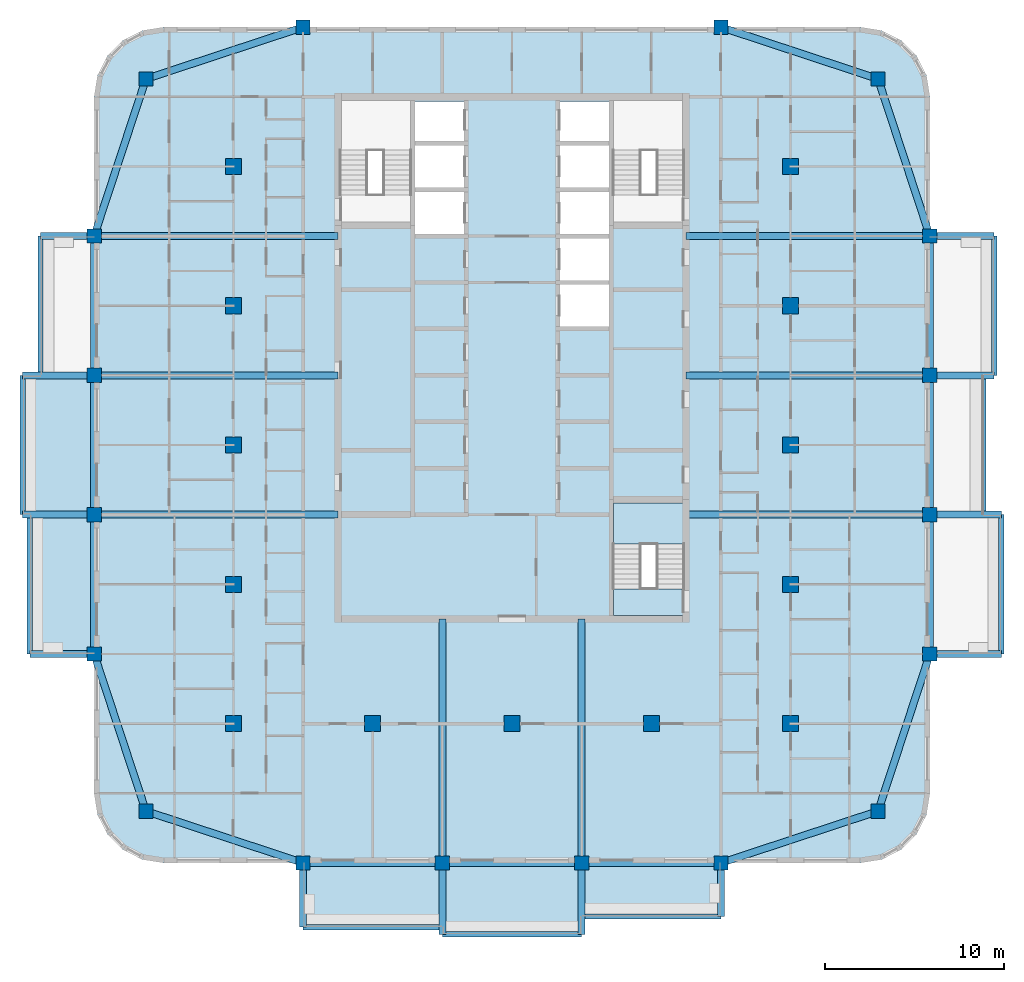
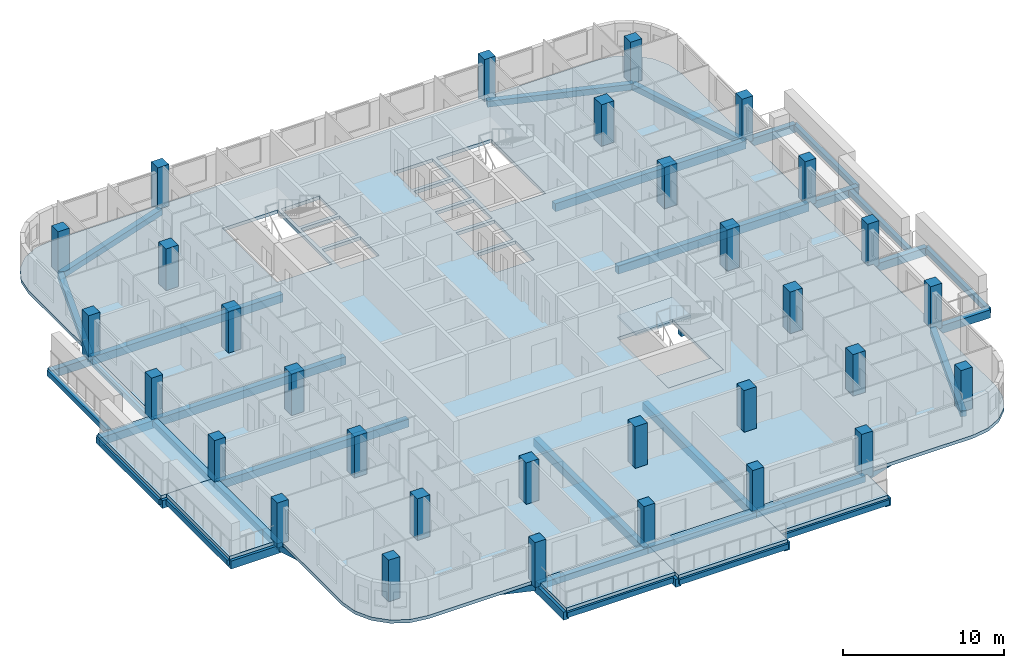
# One storey, part 1 of 16: 46 beams, 31 columns, 8 slabs, 1 element without a shape of its own.
"""IFC4 building model written with IfcOpenShell, lengths in metres."""

from ifc_helpers import new_model, si_unit, direction, frame, origin, origin_2d, place, context, subcontext, project, spatial, polyline, rectangle, outline, extrude, material, layer, layer_set, material_profile, profile_set, type_object, element, aggregate, save


model = new_model("IFC4")

# Units and contexts
model_context = context("Model", 3, precision=1e-05, world=origin(), true_north=direction((0.0, 1.0)))
body_context = subcontext(model_context, "Body", "Model", "MODEL_VIEW")
ifc_project = project(units=[si_unit("LENGTHUNIT", "METRE"), si_unit("AREAUNIT", "SQUARE_METRE"), si_unit("VOLUMEUNIT", "CUBIC_METRE"), si_unit("PLANEANGLEUNIT", "RADIAN"), si_unit("MASSUNIT", "GRAM", prefix="KILO")], contexts=[model_context])

# Site, building, storey
site_placement = place(None, origin())
site = spatial("IfcSite", under=ifc_project, at=site_placement, CompositionType="ELEMENT")
building_placement = place(site_placement, origin())
building = spatial("IfcBuilding", under=site, at=building_placement, Name="Ludao Terraces", CompositionType="ELEMENT")
storey_placement = place(building_placement, frame((0.0, 0.0, 204.10009765625)))
storey = spatial("IfcBuildingStorey", under=building, at=storey_placement, Name="L55", CompositionType="ELEMENT", Elevation=204.10009765625)

# Columns
ifc_material_1 = material(Name="Concrete C50", Category="concrete")
ifc_material_profile_1 = material_profile(ifc_material_1, rectangle(XDim=0.800048828125, YDim=0.800048828125, at=origin_2d()), Name="800 X 800")
ifc_profile_set_1 = profile_set([ifc_material_profile_1], Name="Concrete C50")
column_type_1 = type_object("IfcColumnType", Name="RC column 800x800 C50", PredefinedType="COLUMN", material=ifc_profile_set_1)
for number, where, z_axis, x_axis, name in (
    (1, (64.5, 44.5, -0.25), (0.0, 0.0, 1.0), (1.0, 0.0, 0.0), "Column L55 C0029x0029"),
    (2, (105.5, 44.5, -0.25), (0.0, 0.0, 1.0), (1.0, 0.0, 0.0), "Column L55 C0439x0029"),
    (3, (64.5, 85.5, -0.25), (0.0, 0.0, 1.0), (1.0, 0.0, 0.0), "Column L55 C0029x0439"),
    (4, (105.5, 85.5, -0.25), (0.0, 0.0, 1.0), (1.0, 0.0, 0.0), "Column L55 C0439x0439"),
    (5, (61.60009765625, 53.300048828125, -0.25), (0.0, 0.0, 1.0), (1.0, 0.0, 0.0), "Column L55 F0000x0117"),
    (6, (108.39990234375, 53.300048828125, -0.25), (0.0, 0.0, 1.0), (1.0, 0.0, 0.0), "Column L55 F0468x0117"),
    (7, (73.300048828125, 41.60009765625, -0.25), (0.0, 0.0, 1.0), (1.0, 0.0, 0.0), "Column L55 F0117x0000"),
    (8, (73.300048828125, 88.39990234375, -0.25), (0.0, 0.0, 1.0), (1.0, 0.0, 0.0), "Column L55 F0117x0468"),
    (9, (61.60009765625, 61.10009765625, -0.25), (0.0, 0.0, 1.0), (1.0, 0.0, 0.0), "Column L55 F0000x0195"),
    (10, (108.39990234375, 61.10009765625, -0.25), (0.0, 0.0, 1.0), (1.0, 0.0, 0.0), "Column L55 F0468x0195"),
    (11, (81.10009765625, 41.60009765625, -0.25), (0.0, 0.0, 1.0), (1.0, 0.0, 0.0), "Column L55 F0195x0000"),
    (12, (61.60009765625, 68.89990234375, -0.25), (0.0, 0.0, 1.0), (1.0, 0.0, 0.0), "Column L55 F0000x0273"),
    (13, (108.39990234375, 68.89990234375, -0.25), (0.0, 0.0, 1.0), (1.0, 0.0, 0.0), "Column L55 F0468x0273"),
    (14, (88.89990234375, 41.60009765625, -0.25), (0.0, 0.0, 1.0), (1.0, 0.0, 0.0), "Column L55 F0273x0000"),
    (15, (61.60009765625, 76.699951171875, -0.25), (0.0, 0.0, 1.0), (1.0, 0.0, 0.0), "Column L55 F0000x0351"),
    (16, (108.39990234375, 76.699951171875, -0.25), (0.0, 0.0, 1.0), (1.0, 0.0, 0.0), "Column L55 F0468x0351"),
    (17, (96.699951171875, 41.60009765625, -0.25), (0.0, 0.0, 1.0), (1.0, 0.0, 0.0), "Column L55 F0351x0000"),
    (18, (96.699951171875, 88.39990234375, -0.25), (0.0, 0.0, 1.0), (1.0, 0.0, 0.0), "Column L55 F0351x0468"),
):
    element("IfcColumn", number, at=place(storey_placement, frame(where, z_axis=z_axis, x_axis=x_axis)), inside=storey, type_object=column_type_1, Name=name, PredefinedType="COLUMN", context=body_context, shape_type="SweptSolid", body=[
        extrude(rectangle(XDim=0.800048828125, YDim=0.800048828125, at=origin_2d()), origin(), (0.0, 0.0, 1.0), 3.39990234375),
    ])
ifc_material_profile_2 = material_profile(ifc_material_1, rectangle(XDim=0.89990234375, YDim=0.89990234375, at=origin_2d()), Name="900 X 900")
ifc_profile_set_2 = profile_set([ifc_material_profile_2], Name="Concrete C50")
column_type_2 = type_object("IfcColumnType", Name="RC column 900x900 C50", PredefinedType="COLUMN", material=ifc_profile_set_2)
for number, where, z_axis, x_axis, name in (
    (19, (69.39990234375, 49.39990234375, -0.25), (0.0, 0.0, 1.0), (1.0, 0.0, 0.0), "Column L55 S0078x0078"),
    (20, (69.39990234375, 57.199951171875, -0.25), (0.0, 0.0, 1.0), (1.0, 0.0, 0.0), "Column L55 S0078x0156"),
    (21, (69.39990234375, 65.0, -0.25), (0.0, 0.0, 1.0), (1.0, 0.0, 0.0), "Column L55 S0078x0234"),
    (22, (69.39990234375, 72.800048828125, -0.25), (0.0, 0.0, 1.0), (1.0, 0.0, 0.0), "Column L55 S0078x0312"),
    (23, (69.39990234375, 80.60009765625, -0.25), (0.0, 0.0, 1.0), (1.0, 0.0, 0.0), "Column L55 S0078x0390"),
    (24, (77.199951171875, 49.39990234375, -0.25), (0.0, 0.0, 1.0), (1.0, 0.0, 0.0), "Column L55 S0156x0078"),
    (25, (85.0, 49.39990234375, -0.25), (0.0, 0.0, 1.0), (1.0, 0.0, 0.0), "Column L55 S0234x0078"),
    (26, (92.800048828125, 49.39990234375, -0.25), (0.0, 0.0, 1.0), (1.0, 0.0, 0.0), "Column L55 S0312x0078"),
    (27, (100.60009765625, 49.39990234375, -0.25), (0.0, 0.0, 1.0), (1.0, 0.0, 0.0), "Column L55 S0390x0078"),
    (28, (100.60009765625, 57.199951171875, -0.25), (0.0, 0.0, 1.0), (1.0, 0.0, 0.0), "Column L55 S0390x0156"),
    (29, (100.60009765625, 65.0, -0.25), (0.0, 0.0, 1.0), (1.0, 0.0, 0.0), "Column L55 S0390x0234"),
    (30, (100.60009765625, 72.800048828125, -0.25), (0.0, 0.0, 1.0), (1.0, 0.0, 0.0), "Column L55 S0390x0312"),
    (31, (100.60009765625, 80.60009765625, -0.25), (0.0, 0.0, 1.0), (1.0, 0.0, 0.0), "Column L55 S0390x0390"),
):
    element("IfcColumn", number, at=place(storey_placement, frame(where, z_axis=z_axis, x_axis=x_axis)), inside=storey, type_object=column_type_2, Name=name, PredefinedType="COLUMN", context=body_context, shape_type="SweptSolid", body=[
        extrude(rectangle(XDim=0.89990234375, YDim=0.89990234375, at=origin_2d()), origin(), (0.0, 0.0, 1.0), 3.39990234375),
    ])

# Beams
ifc_material_2 = material(Name="Concrete C40", Category="concrete")
ifc_material_profile_3 = material_profile(ifc_material_2, rectangle(XDim=0.300048828125, YDim=0.39990234375, at=origin_2d()), Name="300 X 400")
ifc_profile_set_3 = profile_set([ifc_material_profile_3], Name="Concrete C40")
beam_type_1 = type_object("IfcBeamType", Name="RC beam 300x400 C40", PredefinedType="BEAM", material=ifc_profile_set_3)
beam_1_placement = place(storey_placement, frame((73.300048828125, 38.0, -0.4501953125), z_axis=(1.0, 0.0, 0.0), x_axis=(0.0, 1.0, 0.0)))
element("IfcBeam", 32, at=beam_1_placement, inside=storey, type_object=beam_type_1, Name="Balcony edge beam L55 S1", PredefinedType="BEAM", context=body_context, shape_type="SweptSolid", body=[
    extrude(rectangle(XDim=0.300048828125, YDim=0.39990234375, at=origin_2d()), origin(), (0.0, 0.0, 1.0), 7.800048828125),
])
beam_2_placement = place(storey_placement, frame((81.10009765625, 37.60009765625, -0.4501953125), z_axis=(1.0, 0.0, 0.0), x_axis=(0.0, 1.0, 0.0)))
element("IfcBeam", 33, at=beam_2_placement, inside=storey, type_object=beam_type_1, Name="Balcony edge beam L55 S2", PredefinedType="BEAM", context=body_context, shape_type="SweptSolid", body=[
    extrude(rectangle(XDim=0.300048828125, YDim=0.39990234375, at=origin_2d()), origin(), (0.0, 0.0, 1.0), 7.7998046875),
])
for number, where, z_axis, x_axis, name in (
    (34, (88.89990234375, 38.60009765625, -0.4501953125), (1.0, 0.0, 0.0), (0.0, 1.0, 0.0), "Balcony edge beam L55 S3"),
    (35, (112.39990234375, 53.300048828125, -0.4501953125), (0.0, 1.0, 0.0), (-1.0, 0.0, 0.0), "Balcony edge beam L55 E1"),
):
    element("IfcBeam", number, at=place(storey_placement, frame(where, z_axis=z_axis, x_axis=x_axis)), inside=storey, type_object=beam_type_1, Name=name, PredefinedType="BEAM", context=body_context, shape_type="SweptSolid", body=[
        extrude(rectangle(XDim=0.300048828125, YDim=0.39990234375, at=origin_2d()), origin(), (0.0, 0.0, 1.0), 7.800048828125),
    ])
beam_3_placement = place(storey_placement, frame((111.39990234375, 61.10009765625, -0.4501953125), z_axis=(0.0, 1.0, 0.0), x_axis=(-1.0, 0.0, 0.0)))
element("IfcBeam", 36, at=beam_3_placement, inside=storey, type_object=beam_type_1, Name="Balcony edge beam L55 E2", PredefinedType="BEAM", context=body_context, shape_type="SweptSolid", body=[
    extrude(rectangle(XDim=0.300048828125, YDim=0.39990234375, at=origin_2d()), origin(), (0.0, 0.0, 1.0), 7.7998046875),
])
for number, where, z_axis, x_axis, name in (
    (37, (112.0, 68.89990234375, -0.4501953125), (0.0, 1.0, 0.0), (-1.0, 0.0, 0.0), "Balcony edge beam L55 E3"),
    (38, (58.0, 53.300048828125, -0.4501953125), (0.0, 1.0, 0.0), (-1.0, 0.0, 0.0), "Balcony edge beam L55 W1"),
):
    element("IfcBeam", number, at=place(storey_placement, frame(where, z_axis=z_axis, x_axis=x_axis)), inside=storey, type_object=beam_type_1, Name=name, PredefinedType="BEAM", context=body_context, shape_type="SweptSolid", body=[
        extrude(rectangle(XDim=0.300048828125, YDim=0.39990234375, at=origin_2d()), origin(), (0.0, 0.0, 1.0), 7.800048828125),
    ])
beam_4_placement = place(storey_placement, frame((57.60009765625, 61.10009765625, -0.4501953125), z_axis=(0.0, 1.0, 0.0), x_axis=(-1.0, 0.0, 0.0)))
element("IfcBeam", 39, at=beam_4_placement, inside=storey, type_object=beam_type_1, Name="Balcony edge beam L55 W2", PredefinedType="BEAM", context=body_context, shape_type="SweptSolid", body=[
    extrude(rectangle(XDim=0.300048828125, YDim=0.39990234375, at=origin_2d()), origin(), (0.0, 0.0, 1.0), 7.7998046875),
])
beam_5_placement = place(storey_placement, frame((58.60009765625, 68.89990234375, -0.4501953125), z_axis=(0.0, 1.0, 0.0), x_axis=(-1.0, 0.0, 0.0)))
element("IfcBeam", 40, at=beam_5_placement, inside=storey, type_object=beam_type_1, Name="Balcony edge beam L55 W3", PredefinedType="BEAM", context=body_context, shape_type="SweptSolid", body=[
    extrude(rectangle(XDim=0.300048828125, YDim=0.39990234375, at=origin_2d()), origin(), (0.0, 0.0, 1.0), 7.800048828125),
])
ifc_material_profile_4 = material_profile(ifc_material_2, rectangle(XDim=0.39990234375, YDim=0.449951171875, at=origin_2d()), Name="400 X 450")
ifc_profile_set_4 = profile_set([ifc_material_profile_4], Name="Concrete C40")
beam_type_2 = type_object("IfcBeamType", Name="RC beam 400x450 C40", PredefinedType="BEAM", material=ifc_profile_set_4)
beam_6_placement = place(storey_placement, frame((64.5, 44.5, -0.47509765625), z_axis=(0.949760691408, -0.312977042379, 0.0), x_axis=(0.312977042379, 0.949760691408, 0.0)))
element("IfcBeam", 41, at=beam_6_placement, inside=storey, type_object=beam_type_2, Name="Spandrel beam L55 S1", PredefinedType="BEAM", context=body_context, shape_type="SweptSolid", body=[
    extrude(rectangle(XDim=0.39990234375, YDim=0.449951171875, at=origin_2d()), origin(), (0.0, 0.0, 1.0), 9.265625),
])
beam_7_placement = place(storey_placement, frame((73.300048828125, 41.60009765625, -0.47509765625), z_axis=(1.0, 0.0, 0.0), x_axis=(0.0, 1.0, 0.0)))
element("IfcBeam", 42, at=beam_7_placement, inside=storey, type_object=beam_type_2, Name="Spandrel beam L55 S2", PredefinedType="BEAM", context=body_context, shape_type="SweptSolid", body=[
    extrude(rectangle(XDim=0.39990234375, YDim=0.449951171875, at=origin_2d()), origin(), (0.0, 0.0, 1.0), 7.800048828125),
])
beam_8_placement = place(storey_placement, frame((81.10009765625, 41.60009765625, -0.47509765625), z_axis=(1.0, 0.0, 0.0), x_axis=(0.0, 1.0, 0.0)))
element("IfcBeam", 43, at=beam_8_placement, inside=storey, type_object=beam_type_2, Name="Spandrel beam L55 S3", PredefinedType="BEAM", context=body_context, shape_type="SweptSolid", body=[
    extrude(rectangle(XDim=0.39990234375, YDim=0.449951171875, at=origin_2d()), origin(), (0.0, 0.0, 1.0), 7.7998046875),
])
beam_9_placement = place(storey_placement, frame((88.89990234375, 41.60009765625, -0.47509765625), z_axis=(1.0, 0.0, 0.0), x_axis=(0.0, 1.0, 0.0)))
element("IfcBeam", 44, at=beam_9_placement, inside=storey, type_object=beam_type_2, Name="Spandrel beam L55 S4", PredefinedType="BEAM", context=body_context, shape_type="SweptSolid", body=[
    extrude(rectangle(XDim=0.39990234375, YDim=0.449951171875, at=origin_2d()), origin(), (0.0, 0.0, 1.0), 7.800048828125),
])
for number, where, z_axis, x_axis, name in (
    (45, (96.699951171875, 41.60009765625, -0.47509765625), (0.949760691408, 0.312977042379, 0.0), (-0.312977042379, 0.949760691408, 0.0), "Spandrel beam L55 S5"),
    (46, (64.5, 85.5, -0.47509765625), (0.949760691408, 0.312977042379, 0.0), (-0.312977042379, 0.949760691408, 0.0), "Spandrel beam L55 N6"),
    (47, (96.699951171875, 88.39990234375, -0.47509765625), (0.949760691408, -0.312977042379, 0.0), (0.312977042379, 0.949760691408, 0.0), "Spandrel beam L55 N7"),
    (48, (64.5, 44.5, -0.47509765625), (-0.312977042379, 0.949760691408, 0.0), (-0.949760691408, -0.312977042379, 0.0), "Spandrel beam L55 W8"),
):
    element("IfcBeam", number, at=place(storey_placement, frame(where, z_axis=z_axis, x_axis=x_axis)), inside=storey, type_object=beam_type_2, Name=name, PredefinedType="BEAM", context=body_context, shape_type="SweptSolid", body=[
        extrude(rectangle(XDim=0.39990234375, YDim=0.449951171875, at=origin_2d()), origin(), (0.0, 0.0, 1.0), 9.265625),
    ])
beam_10_placement = place(storey_placement, frame((61.60009765625, 53.300048828125, -0.47509765625), z_axis=(0.0, 1.0, 0.0), x_axis=(-1.0, 0.0, 0.0)))
element("IfcBeam", 49, at=beam_10_placement, inside=storey, type_object=beam_type_2, Name="Spandrel beam L55 W9", PredefinedType="BEAM", context=body_context, shape_type="SweptSolid", body=[
    extrude(rectangle(XDim=0.39990234375, YDim=0.449951171875, at=origin_2d()), origin(), (0.0, 0.0, 1.0), 7.800048828125),
])
beam_11_placement = place(storey_placement, frame((61.60009765625, 61.10009765625, -0.47509765625), z_axis=(0.0, 1.0, 0.0), x_axis=(-1.0, 0.0, 0.0)))
element("IfcBeam", 50, at=beam_11_placement, inside=storey, type_object=beam_type_2, Name="Spandrel beam L55 W10", PredefinedType="BEAM", context=body_context, shape_type="SweptSolid", body=[
    extrude(rectangle(XDim=0.39990234375, YDim=0.449951171875, at=origin_2d()), origin(), (0.0, 0.0, 1.0), 7.7998046875),
])
beam_12_placement = place(storey_placement, frame((61.60009765625, 68.89990234375, -0.47509765625), z_axis=(0.0, 1.0, 0.0), x_axis=(-1.0, 0.0, 0.0)))
element("IfcBeam", 51, at=beam_12_placement, inside=storey, type_object=beam_type_2, Name="Spandrel beam L55 W11", PredefinedType="BEAM", context=body_context, shape_type="SweptSolid", body=[
    extrude(rectangle(XDim=0.39990234375, YDim=0.449951171875, at=origin_2d()), origin(), (0.0, 0.0, 1.0), 7.800048828125),
])
for number, where, z_axis, x_axis, name in (
    (52, (61.60009765625, 76.699951171875, -0.47509765625), (0.312977042379, 0.949760691408, 0.0), (-0.949760691408, 0.312977042379, 0.0), "Spandrel beam L55 W12"),
    (53, (105.5, 44.5, -0.47509765625), (0.312977042379, 0.949760691408, 0.0), (-0.949760691408, 0.312977042379, 0.0), "Spandrel beam L55 E13"),
):
    element("IfcBeam", number, at=place(storey_placement, frame(where, z_axis=z_axis, x_axis=x_axis)), inside=storey, type_object=beam_type_2, Name=name, PredefinedType="BEAM", context=body_context, shape_type="SweptSolid", body=[
        extrude(rectangle(XDim=0.39990234375, YDim=0.449951171875, at=origin_2d()), origin(), (0.0, 0.0, 1.0), 9.265625),
    ])
beam_13_placement = place(storey_placement, frame((108.39990234375, 53.300048828125, -0.47509765625), z_axis=(0.0, 1.0, 0.0), x_axis=(-1.0, 0.0, 0.0)))
element("IfcBeam", 54, at=beam_13_placement, inside=storey, type_object=beam_type_2, Name="Spandrel beam L55 E14", PredefinedType="BEAM", context=body_context, shape_type="SweptSolid", body=[
    extrude(rectangle(XDim=0.39990234375, YDim=0.449951171875, at=origin_2d()), origin(), (0.0, 0.0, 1.0), 7.800048828125),
])
beam_14_placement = place(storey_placement, frame((108.39990234375, 61.10009765625, -0.47509765625), z_axis=(0.0, 1.0, 0.0), x_axis=(-1.0, 0.0, 0.0)))
element("IfcBeam", 55, at=beam_14_placement, inside=storey, type_object=beam_type_2, Name="Spandrel beam L55 E15", PredefinedType="BEAM", context=body_context, shape_type="SweptSolid", body=[
    extrude(rectangle(XDim=0.39990234375, YDim=0.449951171875, at=origin_2d()), origin(), (0.0, 0.0, 1.0), 7.7998046875),
])
beam_15_placement = place(storey_placement, frame((108.39990234375, 68.89990234375, -0.47509765625), z_axis=(0.0, 1.0, 0.0), x_axis=(-1.0, 0.0, 0.0)))
element("IfcBeam", 56, at=beam_15_placement, inside=storey, type_object=beam_type_2, Name="Spandrel beam L55 E16", PredefinedType="BEAM", context=body_context, shape_type="SweptSolid", body=[
    extrude(rectangle(XDim=0.39990234375, YDim=0.449951171875, at=origin_2d()), origin(), (0.0, 0.0, 1.0), 7.800048828125),
])
beam_16_placement = place(storey_placement, frame((108.39990234375, 76.699951171875, -0.47509765625), z_axis=(-0.312977042379, 0.949760691408, 0.0), x_axis=(-0.949760691408, -0.312977042379, 0.0)))
element("IfcBeam", 57, at=beam_16_placement, inside=storey, type_object=beam_type_2, Name="Spandrel beam L55 E17", PredefinedType="BEAM", context=body_context, shape_type="SweptSolid", body=[
    extrude(rectangle(XDim=0.39990234375, YDim=0.449951171875, at=origin_2d()), origin(), (0.0, 0.0, 1.0), 9.265625),
])
ifc_material_profile_5 = material_profile(ifc_material_2, rectangle(XDim=0.39990234375, YDim=0.60009765625, at=origin_2d()), Name="400 X 600")
ifc_profile_set_5 = profile_set([ifc_material_profile_5], Name="Concrete C40")
beam_type_3 = type_object("IfcBeamType", Name="RC beam 400x600 C40", PredefinedType="BEAM", material=ifc_profile_set_5)
beam_17_placement = place(storey_placement, frame((108.39990234375, 53.300048828125, -0.550048828125), z_axis=(1.0, 0.0, 0.0), x_axis=(0.0, 1.0, 0.0)))
element("IfcBeam", 58, at=beam_17_placement, inside=storey, type_object=beam_type_3, Name="Balcony beam L55 E533", PredefinedType="BEAM", context=body_context, shape_type="SweptSolid", body=[
    extrude(rectangle(XDim=0.39990234375, YDim=0.60009765625, at=origin_2d()), origin(), (0.0, 0.0, 1.0), 4.0),
])
beam_18_placement = place(storey_placement, frame((94.75, 61.10009765625, -0.550048828125), z_axis=(1.0, 0.0, 0.0), x_axis=(0.0, 1.0, 0.0)))
element("IfcBeam", 59, at=beam_18_placement, inside=storey, type_object=beam_type_3, Name="Balcony beam L55 E611", PredefinedType="BEAM", context=body_context, shape_type="SweptSolid", body=[
    extrude(rectangle(XDim=0.39990234375, YDim=0.60009765625, at=origin_2d()), origin(), (0.0, 0.0, 1.0), 13.64990234375),
])
beam_19_placement = place(storey_placement, frame((108.39990234375, 61.10009765625, -0.550048828125), z_axis=(1.0, 0.0, 0.0), x_axis=(0.0, 1.0, 0.0)))
element("IfcBeam", 60, at=beam_19_placement, inside=storey, type_object=beam_type_3, Name="Balcony beam L55 E611", PredefinedType="BEAM", context=body_context, shape_type="SweptSolid", body=[
    extrude(rectangle(XDim=0.39990234375, YDim=0.60009765625, at=origin_2d()), origin(), (0.0, 0.0, 1.0), 4.0),
])
beam_20_placement = place(storey_placement, frame((94.75, 68.89990234375, -0.550048828125), z_axis=(1.0, 0.0, 0.0), x_axis=(0.0, 1.0, 0.0)))
element("IfcBeam", 61, at=beam_20_placement, inside=storey, type_object=beam_type_3, Name="Balcony beam L55 E689", PredefinedType="BEAM", context=body_context, shape_type="SweptSolid", body=[
    extrude(rectangle(XDim=0.39990234375, YDim=0.60009765625, at=origin_2d()), origin(), (0.0, 0.0, 1.0), 13.64990234375),
])
beam_21_placement = place(storey_placement, frame((108.39990234375, 68.89990234375, -0.550048828125), z_axis=(1.0, 0.0, 0.0), x_axis=(0.0, 1.0, 0.0)))
element("IfcBeam", 62, at=beam_21_placement, inside=storey, type_object=beam_type_3, Name="Balcony beam L55 E689", PredefinedType="BEAM", context=body_context, shape_type="SweptSolid", body=[
    extrude(rectangle(XDim=0.39990234375, YDim=0.60009765625, at=origin_2d()), origin(), (0.0, 0.0, 1.0), 3.60009765625),
])
beam_22_placement = place(storey_placement, frame((94.75, 76.699951171875, -0.550048828125), z_axis=(1.0, 0.0, 0.0), x_axis=(0.0, 1.0, 0.0)))
element("IfcBeam", 63, at=beam_22_placement, inside=storey, type_object=beam_type_3, Name="Balcony beam L55 E767", PredefinedType="BEAM", context=body_context, shape_type="SweptSolid", body=[
    extrude(rectangle(XDim=0.39990234375, YDim=0.60009765625, at=origin_2d()), origin(), (0.0, 0.0, 1.0), 13.64990234375),
])
for number, where, z_axis, x_axis, name in (
    (64, (108.39990234375, 76.699951171875, -0.550048828125), (1.0, 0.0, 0.0), (0.0, 1.0, 0.0), "Balcony beam L55 E767"),
    (65, (73.300048828125, 41.60009765625, -0.550048828125), (0.0, -1.0, 0.0), (1.0, 0.0, 0.0), "Balcony beam L55 S733"),
):
    element("IfcBeam", number, at=place(storey_placement, frame(where, z_axis=z_axis, x_axis=x_axis)), inside=storey, type_object=beam_type_3, Name=name, PredefinedType="BEAM", context=body_context, shape_type="SweptSolid", body=[
        extrude(rectangle(XDim=0.39990234375, YDim=0.60009765625, at=origin_2d()), origin(), (0.0, 0.0, 1.0), 3.60009765625),
    ])
beam_23_placement = place(storey_placement, frame((81.10009765625, 55.25, -0.550048828125), z_axis=(0.0, -1.0, 0.0), x_axis=(1.0, 0.0, 0.0)))
element("IfcBeam", 66, at=beam_23_placement, inside=storey, type_object=beam_type_3, Name="Balcony beam L55 S811", PredefinedType="BEAM", context=body_context, shape_type="SweptSolid", body=[
    extrude(rectangle(XDim=0.39990234375, YDim=0.60009765625, at=origin_2d()), origin(), (0.0, 0.0, 1.0), 13.64990234375),
])
beam_24_placement = place(storey_placement, frame((81.10009765625, 41.60009765625, -0.550048828125), z_axis=(0.0, -1.0, 0.0), x_axis=(1.0, 0.0, 0.0)))
element("IfcBeam", 67, at=beam_24_placement, inside=storey, type_object=beam_type_3, Name="Balcony beam L55 S811", PredefinedType="BEAM", context=body_context, shape_type="SweptSolid", body=[
    extrude(rectangle(XDim=0.39990234375, YDim=0.60009765625, at=origin_2d()), origin(), (0.0, 0.0, 1.0), 4.0),
])
beam_25_placement = place(storey_placement, frame((88.89990234375, 55.25, -0.550048828125), z_axis=(0.0, -1.0, 0.0), x_axis=(1.0, 0.0, 0.0)))
element("IfcBeam", 68, at=beam_25_placement, inside=storey, type_object=beam_type_3, Name="Balcony beam L55 S889", PredefinedType="BEAM", context=body_context, shape_type="SweptSolid", body=[
    extrude(rectangle(XDim=0.39990234375, YDim=0.60009765625, at=origin_2d()), origin(), (0.0, 0.0, 1.0), 13.64990234375),
])
beam_26_placement = place(storey_placement, frame((88.89990234375, 41.60009765625, -0.550048828125), z_axis=(0.0, -1.0, 0.0), x_axis=(1.0, 0.0, 0.0)))
element("IfcBeam", 69, at=beam_26_placement, inside=storey, type_object=beam_type_3, Name="Balcony beam L55 S889", PredefinedType="BEAM", context=body_context, shape_type="SweptSolid", body=[
    extrude(rectangle(XDim=0.39990234375, YDim=0.60009765625, at=origin_2d()), origin(), (0.0, 0.0, 1.0), 4.0),
])
beam_27_placement = place(storey_placement, frame((96.699951171875, 41.60009765625, -0.550048828125), z_axis=(0.0, -1.0, 0.0), x_axis=(1.0, 0.0, 0.0)))
element("IfcBeam", 70, at=beam_27_placement, inside=storey, type_object=beam_type_3, Name="Balcony beam L55 S967", PredefinedType="BEAM", context=body_context, shape_type="SweptSolid", body=[
    extrude(rectangle(XDim=0.39990234375, YDim=0.60009765625, at=origin_2d()), origin(), (0.0, 0.0, 1.0), 3.0),
])
beam_28_placement = place(storey_placement, frame((61.60009765625, 53.300048828125, -0.550048828125), z_axis=(-1.0, 0.0, 0.0), x_axis=(0.0, -1.0, 0.0)))
element("IfcBeam", 71, at=beam_28_placement, inside=storey, type_object=beam_type_3, Name="Balcony beam L55 W533", PredefinedType="BEAM", context=body_context, shape_type="SweptSolid", body=[
    extrude(rectangle(XDim=0.39990234375, YDim=0.60009765625, at=origin_2d()), origin(), (0.0, 0.0, 1.0), 3.60009765625),
])
beam_29_placement = place(storey_placement, frame((75.25, 61.10009765625, -0.550048828125), z_axis=(-1.0, 0.0, 0.0), x_axis=(0.0, -1.0, 0.0)))
element("IfcBeam", 72, at=beam_29_placement, inside=storey, type_object=beam_type_3, Name="Balcony beam L55 W611", PredefinedType="BEAM", context=body_context, shape_type="SweptSolid", body=[
    extrude(rectangle(XDim=0.39990234375, YDim=0.60009765625, at=origin_2d()), origin(), (0.0, 0.0, 1.0), 13.64990234375),
])
beam_30_placement = place(storey_placement, frame((61.60009765625, 61.10009765625, -0.550048828125), z_axis=(-1.0, 0.0, 0.0), x_axis=(0.0, -1.0, 0.0)))
element("IfcBeam", 73, at=beam_30_placement, inside=storey, type_object=beam_type_3, Name="Balcony beam L55 W611", PredefinedType="BEAM", context=body_context, shape_type="SweptSolid", body=[
    extrude(rectangle(XDim=0.39990234375, YDim=0.60009765625, at=origin_2d()), origin(), (0.0, 0.0, 1.0), 4.0),
])
beam_31_placement = place(storey_placement, frame((75.25, 68.89990234375, -0.550048828125), z_axis=(-1.0, 0.0, 0.0), x_axis=(0.0, -1.0, 0.0)))
element("IfcBeam", 74, at=beam_31_placement, inside=storey, type_object=beam_type_3, Name="Balcony beam L55 W689", PredefinedType="BEAM", context=body_context, shape_type="SweptSolid", body=[
    extrude(rectangle(XDim=0.39990234375, YDim=0.60009765625, at=origin_2d()), origin(), (0.0, 0.0, 1.0), 13.64990234375),
])
beam_32_placement = place(storey_placement, frame((61.60009765625, 68.89990234375, -0.550048828125), z_axis=(-1.0, 0.0, 0.0), x_axis=(0.0, -1.0, 0.0)))
element("IfcBeam", 75, at=beam_32_placement, inside=storey, type_object=beam_type_3, Name="Balcony beam L55 W689", PredefinedType="BEAM", context=body_context, shape_type="SweptSolid", body=[
    extrude(rectangle(XDim=0.39990234375, YDim=0.60009765625, at=origin_2d()), origin(), (0.0, 0.0, 1.0), 4.0),
])
beam_33_placement = place(storey_placement, frame((75.25, 76.699951171875, -0.550048828125), z_axis=(-1.0, 0.0, 0.0), x_axis=(0.0, -1.0, 0.0)))
element("IfcBeam", 76, at=beam_33_placement, inside=storey, type_object=beam_type_3, Name="Balcony beam L55 W767", PredefinedType="BEAM", context=body_context, shape_type="SweptSolid", body=[
    extrude(rectangle(XDim=0.39990234375, YDim=0.60009765625, at=origin_2d()), origin(), (0.0, 0.0, 1.0), 13.64990234375),
])
beam_34_placement = place(storey_placement, frame((61.60009765625, 76.699951171875, -0.550048828125), z_axis=(-1.0, 0.0, 0.0), x_axis=(0.0, -1.0, 0.0)))
element("IfcBeam", 77, at=beam_34_placement, inside=storey, type_object=beam_type_3, Name="Balcony beam L55 W767", PredefinedType="BEAM", context=body_context, shape_type="SweptSolid", body=[
    extrude(rectangle(XDim=0.39990234375, YDim=0.60009765625, at=origin_2d()), origin(), (0.0, 0.0, 1.0), 3.0),
])

# Slabs
ifc_layer_1 = layer(ifc_material_2, 0.25)
ifc_layer_set_1 = layer_set([ifc_layer_1], Name="Balcony slab 250 C40")
slab_type_1 = type_object("IfcSlabType", Name="Balcony slab 250 C40", PredefinedType="USERDEFINED", material=ifc_layer_set_1)
slab_1_placement = place(storey_placement, frame((0.0, 0.0, -0.25)))
element("IfcSlab", 78, at=slab_1_placement, inside=storey, type_object=slab_type_1, Name="Balcony L55 S1", ObjectType="BALCONY", PredefinedType="USERDEFINED", context=body_context, shape_type="SweptSolid", body=[
    extrude(outline(polyline([(73.300048828125, 38.0), (81.10009765625, 38.0), (81.10009765625, 41.60009765625), (73.300048828125, 41.60009765625), (73.300048828125, 38.0)])), origin(), (0.0, 0.0, 1.0), 0.25),
])
slab_2_placement = place(storey_placement, frame((0.0, 0.0, -0.25)))
element("IfcSlab", 79, at=slab_2_placement, inside=storey, type_object=slab_type_1, Name="Balcony L55 S2", ObjectType="BALCONY", PredefinedType="USERDEFINED", context=body_context, shape_type="SweptSolid", body=[
    extrude(outline(polyline([(81.10009765625, 37.60009765625), (88.89990234375, 37.60009765625), (88.89990234375, 41.60009765625), (81.10009765625, 41.60009765625), (81.10009765625, 37.60009765625)])), origin(), (0.0, 0.0, 1.0), 0.25),
])
slab_3_placement = place(storey_placement, frame((0.0, 0.0, -0.25)))
element("IfcSlab", 80, at=slab_3_placement, inside=storey, type_object=slab_type_1, Name="Balcony L55 S3", ObjectType="BALCONY", PredefinedType="USERDEFINED", context=body_context, shape_type="SweptSolid", body=[
    extrude(outline(polyline([(88.89990234375, 38.60009765625), (96.699951171875, 38.60009765625), (96.699951171875, 41.60009765625), (88.89990234375, 41.60009765625), (88.89990234375, 38.60009765625)])), origin(), (0.0, 0.0, 1.0), 0.25),
])
slab_4_placement = place(storey_placement, frame((0.0, 0.0, -0.25)))
element("IfcSlab", 81, at=slab_4_placement, inside=storey, type_object=slab_type_1, Name="Balcony L55 W1", ObjectType="BALCONY", PredefinedType="USERDEFINED", context=body_context, shape_type="SweptSolid", body=[
    extrude(outline(polyline([(58.0, 53.300048828125), (61.60009765625, 53.300048828125), (61.60009765625, 61.10009765625), (58.0, 61.10009765625), (58.0, 53.300048828125)])), origin(), (0.0, 0.0, 1.0), 0.25),
])
slab_5_placement = place(storey_placement, frame((0.0, 0.0, -0.25)))
element("IfcSlab", 82, at=slab_5_placement, inside=storey, type_object=slab_type_1, Name="Balcony L55 W2", ObjectType="BALCONY", PredefinedType="USERDEFINED", context=body_context, shape_type="SweptSolid", body=[
    extrude(outline(polyline([(57.60009765625, 61.10009765625), (61.60009765625, 61.10009765625), (61.60009765625, 68.89990234375), (57.60009765625, 68.89990234375), (57.60009765625, 61.10009765625)])), origin(), (0.0, 0.0, 1.0), 0.25),
])
ifc_layer_2 = layer(ifc_material_2, 0.25)
ifc_layer_set_2 = layer_set([ifc_layer_2], Name="Floor slab 250 C40")
slab_type_2 = type_object("IfcSlabType", Name="Floor slab 250 C40", PredefinedType="FLOOR", material=ifc_layer_set_2)
slab_6_placement = place(storey_placement, frame((0.0, 0.0, -0.25)))
element("IfcSlab", 83, at=slab_6_placement, inside=storey, type_object=slab_type_2, Name="Slab L55", PredefinedType="FLOOR", context=body_context, shape_type="SweptSolid", body=[
    extrude(outline(polyline([(104.5, 41.60009765625), (105.705078125, 41.790771484375), (106.79248046875, 42.3447265625), (107.6552734375, 43.20751953125), (108.209228515625, 44.294921875), (108.39990234375, 45.5), (108.39990234375, 84.5), (108.209228515625, 85.705078125), (107.6552734375, 86.79248046875), (106.79248046875, 87.6552734375), (105.705078125, 88.209228515625), (104.5, 88.39990234375), (65.5, 88.39990234375), (64.294921875, 88.209228515625), (63.20751953125, 87.6552734375), (62.3447265625, 86.79248046875), (61.790771484375, 85.705078125), (61.60009765625, 84.5), (61.60009765625, 45.5), (61.790771484375, 44.294921875), (62.3447265625, 43.20751953125), (63.20751953125, 42.3447265625), (64.294921875, 41.790771484375), (65.5, 41.60009765625), (104.5, 41.60009765625)]), holes=[polyline([(79.574951171875, 76.824951171875), (82.324951171875, 76.824951171875), (82.324951171875, 79.175048828125), (79.574951171875, 79.175048828125), (79.574951171875, 76.824951171875)]), polyline([(79.574951171875, 79.425048828125), (82.324951171875, 79.425048828125), (82.324951171875, 81.77490234375), (79.574951171875, 81.77490234375), (79.574951171875, 79.425048828125)]), polyline([(79.574951171875, 82.02490234375), (82.324951171875, 82.02490234375), (82.324951171875, 84.239990234375), (79.574951171875, 84.239990234375), (79.574951171875, 82.02490234375)]), polyline([(87.675048828125, 71.625), (90.425048828125, 71.625), (90.425048828125, 73.97509765625), (87.675048828125, 73.97509765625), (87.675048828125, 71.625)]), polyline([(87.675048828125, 74.22509765625), (90.425048828125, 74.22509765625), (90.425048828125, 76.574951171875), (87.675048828125, 76.574951171875), (87.675048828125, 74.22509765625)]), polyline([(87.675048828125, 76.824951171875), (90.425048828125, 76.824951171875), (90.425048828125, 79.175048828125), (87.675048828125, 79.175048828125), (87.675048828125, 76.824951171875)]), polyline([(87.675048828125, 79.425048828125), (90.425048828125, 79.425048828125), (90.425048828125, 81.77490234375), (87.675048828125, 81.77490234375), (87.675048828125, 79.425048828125)]), polyline([(87.675048828125, 82.02490234375), (90.425048828125, 82.02490234375), (90.425048828125, 84.239990234375), (87.675048828125, 84.239990234375), (87.675048828125, 82.02490234375)]), polyline([(75.375, 77.5), (79.324951171875, 77.5), (79.324951171875, 84.239990234375), (75.375, 84.239990234375), (75.375, 77.5)]), polyline([(90.675048828125, 77.5), (94.625, 77.5), (94.625, 84.239990234375), (90.675048828125, 84.239990234375), (90.675048828125, 77.5)]), polyline([(90.675048828125, 55.449951171875), (94.625, 55.449951171875), (94.625, 61.75), (90.675048828125, 61.75), (90.675048828125, 55.449951171875)])]), origin(), (0.0, 0.0, 1.0), 0.25),
])

# Stair, slabs
stair_type = type_object("IfcStairType", Name="INT Stair", PredefinedType="HALF_TURN_STAIR", material=ifc_material_2)
stair_placement = place(storey_placement, origin())
stair = element("IfcStair", 84, at=stair_placement, inside=storey, type_object=stair_type, Name="EXIT STAIR 3", PredefinedType="HALF_TURN_STAIR")
ifc_layer_3 = layer(ifc_material_2, 0.199951171875)
ifc_layer_set_3 = layer_set([ifc_layer_3], Name="INT Stair landing 200")
slab_type_3 = type_object("IfcSlabType", Name="INT Stair landing 200", PredefinedType="LANDING", material=ifc_layer_set_3)
slab_7_placement = place(storey_placement, frame((0.0, 0.0, 1.5)))
slab_7 = element("IfcSlab", 85, at=slab_7_placement, type_object=slab_type_3, Name="ST3 landing 1", PredefinedType="LANDING", context=body_context, shape_type="SweptSolid", body=[
    extrude(outline(polyline([(90.675048828125, 59.469970703125), (94.625, 59.469970703125), (94.625, 61.75), (90.675048828125, 61.75), (90.675048828125, 59.469970703125)])), origin(), (0.0, 0.0, 1.0), 0.199951171875),
])
slab_8_placement = place(storey_placement, frame((0.0, 0.0, -0.2001953125)))
slab_8 = element("IfcSlab", 86, at=slab_8_placement, type_object=slab_type_3, Name="ST3 landing 2", PredefinedType="LANDING", context=body_context, shape_type="SweptSolid", body=[
    extrude(outline(polyline([(90.675048828125, 55.449951171875), (94.625, 55.449951171875), (94.625, 56.949951171875), (90.675048828125, 56.949951171875), (90.675048828125, 55.449951171875)])), origin(), (0.0, 0.0, 1.0), 0.2001953125),
])
aggregate(stair, [slab_7, slab_8])

save(model, "model.ifc")
